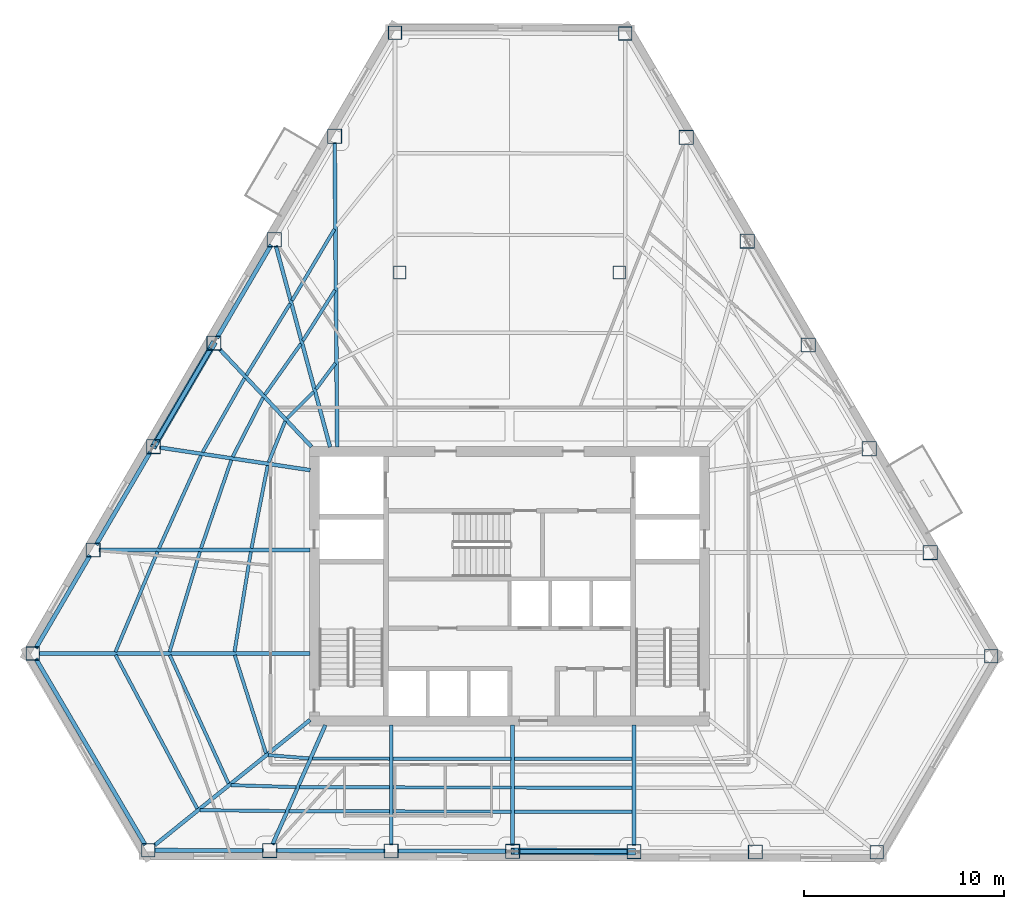
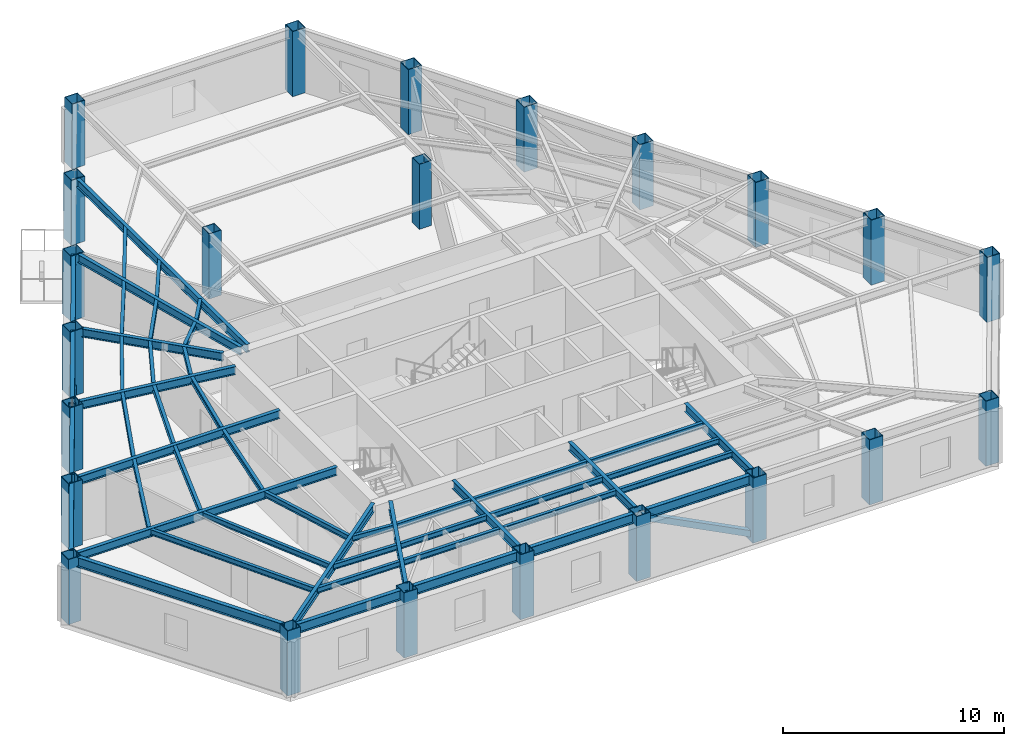
# One storey, part 1 of 11: 50 beams, 23 columns, 2 members.
"""IFC4 building model written with IfcOpenShell, lengths in metres."""

from ifc_helpers import new_model, si_unit, direction, frame, origin, origin_2d, place, context, subcontext, project, spatial, hollow_rectangle, i_section, extrude, material, material_profile, profile_set, type_object, element, save


model = new_model("IFC4")

# Units and contexts
model_context = context("Model", 3, precision=1e-05, world=origin(), true_north=direction((0.0, 1.0)))
body_context = subcontext(model_context, "Body", "Model", "MODEL_VIEW")
ifc_project = project(units=[si_unit("LENGTHUNIT", "METRE"), si_unit("AREAUNIT", "SQUARE_METRE"), si_unit("VOLUMEUNIT", "CUBIC_METRE"), si_unit("PLANEANGLEUNIT", "RADIAN"), si_unit("MASSUNIT", "GRAM", prefix="KILO")], contexts=[model_context])

# Site, building, storey
site_placement = place(None, origin())
site = spatial("IfcSite", under=ifc_project, at=site_placement, CompositionType="ELEMENT")
building_placement = place(site_placement, origin())
building = spatial("IfcBuilding", under=site, at=building_placement, Name="Kavelnor Concourse Tower", CompositionType="ELEMENT")
storey_placement = place(building_placement, frame((0.0, 0.0, 127.85009765625)))
storey = spatial("IfcBuildingStorey", under=building, at=storey_placement, Name="L32", CompositionType="ELEMENT", Elevation=127.85009765625)

# Columns
ifc_material = material(Name="Steel Grade 350", Category="steel")
ifc_material_profile_1 = material_profile(ifc_material, hollow_rectangle(XDim=0.679931640625, YDim=0.679931640625, WallThickness=0.030029296875, at=origin_2d()), Name="SHS 680x680x30")
ifc_profile_set_1 = profile_set([ifc_material_profile_1], Name="Steel Grade 350")
column_type_1 = type_object("IfcColumnType", Name="COL-FOLD-Z2", PredefinedType="COLUMN", material=ifc_profile_set_1)
for number, where, z_axis, x_axis, name in (
    (1, (32.264892578125, 43.8056640625, 0.0), (0.0, 0.0, 1.0), (1.0, 0.0, 0.0), "L32 Perimeter Corner-Fold Column F0-B0"),
    (2, (14.123291015625, 12.722412109375, 0.0), (0.0, 0.0, 1.0), (1.0, 0.0, 0.0), "L32 Perimeter Corner-Fold Column F0-B6"),
    (3, (19.913818359375, 2.86767578125, 0.0), (0.0, 0.0, 1.0), (1.0, 0.0, 0.0), "L32 Perimeter Corner-Fold Column F1-B0"),
    (4, (56.395751953125, 2.760986328125, 0.0), (0.0, 0.0, 1.0), (1.0, 0.0, 0.0), "L32 Perimeter Corner-Fold Column F1-B6"),
    (5, (62.125, 12.577392578125, 0.0), (0.0, 0.0, 1.0), (1.0, 0.0, 0.0), "L32 Perimeter Corner-Fold Column F2-B0"),
    (6, (43.796142578125, 43.77197265625, 0.0), (0.0, 0.0, 1.0), (1.0, 0.0, 0.0), "L32 Perimeter Corner-Fold Column F2-B6"),
):
    element("IfcColumn", number, at=place(storey_placement, frame(where, z_axis=z_axis, x_axis=x_axis)), inside=storey, type_object=column_type_1, Name=name, PredefinedType="COLUMN", context=body_context, shape_type="SweptSolid", body=[
        extrude(hollow_rectangle(XDim=0.679931640625, YDim=0.679931640625, WallThickness=0.030029296875, at=origin_2d()), origin(), (0.0, 0.0, 1.0), 3.599853515625),
    ])
ifc_material_profile_2 = material_profile(ifc_material, hollow_rectangle(XDim=0.719970703125, YDim=0.719970703125, WallThickness=0.031982421875, at=origin_2d()), Name="SHS 720x720x32")
ifc_profile_set_2 = profile_set([ifc_material_profile_2], Name="Steel Grade 350")
column_type_2 = type_object("IfcColumnType", Name="COL-TUBE-Z2", PredefinedType="COLUMN", material=ifc_profile_set_2)
for number, where, z_axis, x_axis, name in (
    (7, (29.2412109375, 38.625, 0.0), (0.0, 0.0, 1.0), (1.0, 0.0, 0.0), "L32 Perimeter Framed-Tube Column F0-B1"),
    (8, (26.2177734375, 33.444580078125, 0.0), (0.0, 0.0, 1.0), (1.0, 0.0, 0.0), "L32 Perimeter Framed-Tube Column F0-B2"),
    (9, (23.194091796875, 28.263916015625, 0.0), (0.0, 0.0, 1.0), (1.0, 0.0, 0.0), "L32 Perimeter Framed-Tube Column F0-B3"),
    (10, (20.17041015625, 23.08349609375, 0.0), (0.0, 0.0, 1.0), (1.0, 0.0, 0.0), "L32 Perimeter Framed-Tube Column F0-B4"),
    (11, (17.14697265625, 17.90283203125, 0.0), (0.0, 0.0, 1.0), (1.0, 0.0, 0.0), "L32 Perimeter Framed-Tube Column F0-B5"),
    (12, (25.993896484375, 2.849853515625, 0.0), (0.0, 0.0, 1.0), (1.0, 0.0, 0.0), "L32 Perimeter Framed-Tube Column F1-B1"),
    (13, (32.074462890625, 2.83203125, 0.0), (0.0, 0.0, 1.0), (1.0, 0.0, 0.0), "L32 Perimeter Framed-Tube Column F1-B2"),
    (14, (38.15478515625, 2.814208984375, 0.0), (0.0, 0.0, 1.0), (1.0, 0.0, 0.0), "L32 Perimeter Framed-Tube Column F1-B3"),
    (15, (44.235107421875, 2.79638671875, 0.0), (0.0, 0.0, 1.0), (1.0, 0.0, 0.0), "L32 Perimeter Framed-Tube Column F1-B4"),
    (16, (50.3154296875, 2.77880859375, 0.0), (0.0, 0.0, 1.0), (1.0, 0.0, 0.0), "L32 Perimeter Framed-Tube Column F1-B5"),
    (17, (59.0703125, 17.7763671875, 0.0), (0.0, 0.0, 1.0), (1.0, 0.0, 0.0), "L32 Perimeter Framed-Tube Column F2-B1"),
    (18, (56.015380859375, 22.9755859375, 0.0), (0.0, 0.0, 1.0), (1.0, 0.0, 0.0), "L32 Perimeter Framed-Tube Column F2-B2"),
    (19, (52.960693359375, 28.174560546875, 0.0), (0.0, 0.0, 1.0), (1.0, 0.0, 0.0), "L32 Perimeter Framed-Tube Column F2-B3"),
    (20, (49.90576171875, 33.373779296875, 0.0), (0.0, 0.0, 1.0), (1.0, 0.0, 0.0), "L32 Perimeter Framed-Tube Column F2-B4"),
    (21, (46.85107421875, 38.57275390625, 0.0), (0.0, 0.0, 1.0), (1.0, 0.0, 0.0), "L32 Perimeter Framed-Tube Column F2-B5"),
):
    element("IfcColumn", number, at=place(storey_placement, frame(where, z_axis=z_axis, x_axis=x_axis)), inside=storey, type_object=column_type_2, Name=name, PredefinedType="COLUMN", context=body_context, shape_type="SweptSolid", body=[
        extrude(hollow_rectangle(XDim=0.719970703125, YDim=0.719970703125, WallThickness=0.031982421875, at=origin_2d()), origin(), (0.0, 0.0, 1.0), 3.599853515625),
    ])
ifc_material_profile_3 = material_profile(ifc_material, hollow_rectangle(XDim=0.639892578125, YDim=0.639892578125, WallThickness=0.028076171875, at=origin_2d()), Name="SHS 640x640x28")
ifc_profile_set_3 = profile_set([ifc_material_profile_3], Name="Steel Grade 350")
column_type_3 = type_object("IfcColumnType", Name="COL-TUBE-Z3", PredefinedType="COLUMN", material=ifc_profile_set_3)
for number, where, z_axis, x_axis, name in (
    (22, (32.5, 31.800048828125, 0.0), (0.0, 0.0, 1.0), (1.0, 0.0, 0.0), "L32 North Interior Gravity Column BC-NW"),
    (23, (43.5, 31.800048828125, 0.0), (0.0, 0.0, 1.0), (1.0, 0.0, 0.0), "L32 North Interior Gravity Column BC-NE"),
):
    element("IfcColumn", number, at=place(storey_placement, frame(where, z_axis=z_axis, x_axis=x_axis)), inside=storey, type_object=column_type_3, Name=name, PredefinedType="COLUMN", context=body_context, shape_type="SweptSolid", body=[
        extrude(hollow_rectangle(XDim=0.639892578125, YDim=0.639892578125, WallThickness=0.028076171875, at=origin_2d()), origin(), (0.0, 0.0, 1.0), 3.599853515625),
    ])

# Beams
ifc_material_profile_4 = material_profile(ifc_material, i_section(OverallWidth=0.166015625, OverallDepth=0.306884765625, WebThickness=0.006591796875, FlangeThickness=0.01171875, at=origin_2d()), Name="310UB46")
ifc_profile_set_4 = profile_set([ifc_material_profile_4], Name="Steel Grade 350")
beam_type_1 = type_object("IfcBeamType", Name="BM-JOIST-310", PredefinedType="JOIST", material=ifc_profile_set_4)
beam_1_placement = place(storey_placement, frame((24.239990234375, 12.637451171875, 3.4462890625), z_axis=(0.303117680304, -0.952953132052, 0.0), x_axis=(0.952953132052, 0.303117680304, 0.0)))
element("IfcBeam", 24, at=beam_1_placement, inside=storey, type_object=beam_type_1, Name="L32 Secondary Composite Joist 01-1", PredefinedType="JOIST", context=body_context, shape_type="SweptSolid", body=[
    extrude(i_section(OverallWidth=0.166015625, OverallDepth=0.306884765625, WebThickness=0.006591796875, FlangeThickness=0.01171875, at=origin_2d()), origin(), (0.0, 0.0, 1.0), 5.1572265625),
])
beam_2_placement = place(storey_placement, frame((20.98681640625, 12.641357421875, 3.4462890625), z_axis=(0.415535280939, -0.909577061219, 0.0), x_axis=(0.909577061219, 0.415535280939, 0.0)))
element("IfcBeam", 25, at=beam_2_placement, inside=storey, type_object=beam_type_1, Name="L32 Secondary Composite Joist 01-2", PredefinedType="JOIST", context=body_context, shape_type="SweptSolid", body=[
    extrude(i_section(OverallWidth=0.166015625, OverallDepth=0.306884765625, WebThickness=0.006591796875, FlangeThickness=0.01171875, at=origin_2d()), origin(), (0.0, 0.0, 1.0), 7.068603515625),
])
beam_3_placement = place(storey_placement, frame((18.272216796875, 12.643798828125, 3.4462890625), z_axis=(0.469508375131, -0.882928018403, 0.0), x_axis=(0.882928018403, 0.469508375131, 0.0)))
element("IfcBeam", 26, at=beam_3_placement, inside=storey, type_object=beam_type_1, Name="L32 Secondary Composite Joist 01-3", PredefinedType="JOIST", context=body_context, shape_type="SweptSolid", body=[
    extrude(i_section(OverallWidth=0.166015625, OverallDepth=0.306884765625, WebThickness=0.006591796875, FlangeThickness=0.01171875, at=origin_2d()), origin(), (0.0, 0.0, 1.0), 8.7099609375),
])
beam_4_placement = place(storey_placement, frame((25.9189453125, 7.630859375, 3.4462890625), z_axis=(0.99680878661, -0.079826329853, 0.0), x_axis=(0.079826329853, 0.99680878661, 0.0)))
element("IfcBeam", 27, at=beam_4_placement, inside=storey, type_object=beam_type_1, Name="L32 Secondary Composite Joist 02-1", PredefinedType="JOIST", context=body_context, shape_type="SweptSolid", body=[
    extrude(i_section(OverallWidth=0.166015625, OverallDepth=0.306884765625, WebThickness=0.006591796875, FlangeThickness=0.01171875, at=origin_2d()), origin(), (0.0, 0.0, 1.0), 2.033935546875),
])
beam_5_placement = place(storey_placement, frame((24.050048828125, 6.128173828125, 3.4462890625), z_axis=(0.999529084403, -0.030685655156, 0.0), x_axis=(0.030685655156, 0.999529084403, 0.0)))
element("IfcBeam", 28, at=beam_5_placement, inside=storey, type_object=beam_type_1, Name="L32 Secondary Composite Joist 02-2", PredefinedType="JOIST", context=body_context, shape_type="SweptSolid", body=[
    extrude(i_section(OverallWidth=0.166015625, OverallDepth=0.306884765625, WebThickness=0.006591796875, FlangeThickness=0.01171875, at=origin_2d()), origin(), (0.0, 0.0, 1.0), 3.261962890625),
])
beam_6_placement = place(storey_placement, frame((22.492431640625, 4.8740234375, 3.4462890625), z_axis=(0.999946323832, -0.010360958209, 0.0), x_axis=(0.010360958209, 0.999946323832, 0.0)))
element("IfcBeam", 29, at=beam_6_placement, inside=storey, type_object=beam_type_1, Name="L32 Secondary Composite Joist 02-3", PredefinedType="JOIST", context=body_context, shape_type="SweptSolid", body=[
    extrude(i_section(OverallWidth=0.166015625, OverallDepth=0.306884765625, WebThickness=0.006591796875, FlangeThickness=0.01171875, at=origin_2d()), origin(), (0.0, 0.0, 1.0), 4.28857421875),
])
beam_7_placement = place(storey_placement, frame((28.1240234375, 7.461181640625, 3.4462890625), z_axis=(0.999999662197, -0.000821952176, 0.0), x_axis=(0.000821952176, 0.999999662197, 0.0)))
element("IfcBeam", 30, at=beam_7_placement, inside=storey, type_object=beam_type_1, Name="L32 Secondary Composite Joist 03-1", PredefinedType="JOIST", context=body_context, shape_type="SweptSolid", body=[
    extrude(i_section(OverallWidth=0.166015625, OverallDepth=0.306884765625, WebThickness=0.006591796875, FlangeThickness=0.01171875, at=origin_2d()), origin(), (0.0, 0.0, 1.0), 3.861328125),
])
beam_8_placement = place(storey_placement, frame((27.48828125, 6.025146484375, 3.4462890625), z_axis=(0.999997982596, -0.002008682158, 0.0), x_axis=(0.002008682158, 0.999997982596, 0.0)))
element("IfcBeam", 31, at=beam_8_placement, inside=storey, type_object=beam_type_1, Name="L32 Secondary Composite Joist 03-2", PredefinedType="JOIST", context=body_context, shape_type="SweptSolid", body=[
    extrude(i_section(OverallWidth=0.166015625, OverallDepth=0.306884765625, WebThickness=0.006591796875, FlangeThickness=0.01171875, at=origin_2d()), origin(), (0.0, 0.0, 1.0), 4.4970703125),
])
beam_9_placement = place(storey_placement, frame((26.958740234375, 4.828369140625, 3.4462890625), z_axis=(0.999996301095, -0.002719888915, 0.0), x_axis=(0.002719888915, 0.999996301095, 0.0)))
element("IfcBeam", 32, at=beam_9_placement, inside=storey, type_object=beam_type_1, Name="L32 Secondary Composite Joist 03-3", PredefinedType="JOIST", context=body_context, shape_type="SweptSolid", body=[
    extrude(i_section(OverallWidth=0.166015625, OverallDepth=0.306884765625, WebThickness=0.006591796875, FlangeThickness=0.01171875, at=origin_2d()), origin(), (0.0, 0.0, 1.0), 5.026611328125),
])
for number, where, z_axis, x_axis, name in (
    (33, (32.163330078125, 7.457763671875, 3.4462890625), (0.999999657815, -0.000827266428, 0.0), (0.000827266428, 0.999999657815, 0.0), "L32 Secondary Composite Joist 04-1"),
    (34, (32.163330078125, 6.015869140625, 3.4462890625), (0.999998828874, -0.001530441623, 0.0), (0.001530441623, 0.999998828874, 0.0), "L32 Secondary Composite Joist 04-2"),
    (35, (32.163330078125, 4.814208984375, 3.4462890625), (0.999997774949, -0.002109525419, 0.0), (0.002109525419, 0.999997774949, 0.0), "L32 Secondary Composite Joist 04-3"),
    (36, (38.24365234375, 7.45263671875, 3.4462890625), (0.999999691178, -0.000785903133, 0.0), (0.000785903133, 0.999999691178, 0.0), "L32 Secondary Composite Joist 05-1"),
    (37, (38.24365234375, 6.006591796875, 3.4462890625), (0.999998828874, -0.001530441623, 0.0), (0.001530441623, 0.999998828874, 0.0), "L32 Secondary Composite Joist 05-2"),
    (38, (38.24365234375, 4.80126953125, 3.4462890625), (0.999997774949, -0.002109525419, 0.0), (0.002109525419, 0.999997774949, 0.0), "L32 Secondary Composite Joist 05-3"),
):
    element("IfcBeam", number, at=place(storey_placement, frame(where, z_axis=z_axis, x_axis=x_axis)), inside=storey, type_object=beam_type_1, Name=name, PredefinedType="JOIST", context=body_context, shape_type="SweptSolid", body=[
        extrude(i_section(OverallWidth=0.166015625, OverallDepth=0.306884765625, WebThickness=0.006591796875, FlangeThickness=0.01171875, at=origin_2d()), origin(), (0.0, 0.0, 1.0), 5.90234375),
    ])
beam_10_placement = place(storey_placement, frame((29.28076171875, 27.262939453125, 3.4462890625), z_axis=(-0.597577597857, -0.801811084071, 0.0), x_axis=(0.801811084071, -0.597577597857, 0.0)))
element("IfcBeam", 39, at=beam_10_placement, inside=storey, type_object=beam_type_1, Name="L32 Secondary Composite Joist 17-1", PredefinedType="JOIST", context=body_context, shape_type="SweptSolid", body=[
    extrude(i_section(OverallWidth=0.166015625, OverallDepth=0.306884765625, WebThickness=0.006591796875, FlangeThickness=0.01171875, at=origin_2d()), origin(), (0.0, 0.0, 1.0), 1.630615234375),
])
beam_11_placement = place(storey_placement, frame((29.25634765625, 30.922607421875, 3.4462890625), z_axis=(-0.534121216375, -0.845407905226, 0.0), x_axis=(0.845407905226, -0.534121216375, 0.0)))
element("IfcBeam", 40, at=beam_11_placement, inside=storey, type_object=beam_type_1, Name="L32 Secondary Composite Joist 17-2", PredefinedType="JOIST", context=body_context, shape_type="SweptSolid", body=[
    extrude(i_section(OverallWidth=0.166015625, OverallDepth=0.306884765625, WebThickness=0.006591796875, FlangeThickness=0.01171875, at=origin_2d()), origin(), (0.0, 0.0, 1.0), 3.008544921875),
])
beam_12_placement = place(storey_placement, frame((29.2333984375, 33.974365234375, 3.4462890625), z_axis=(-0.51137044698, -0.859360381886, 0.0), x_axis=(0.859360381886, -0.51137044698, 0.0)))
element("IfcBeam", 41, at=beam_12_placement, inside=storey, type_object=beam_type_1, Name="L32 Secondary Composite Joist 17-3", PredefinedType="JOIST", context=body_context, shape_type="SweptSolid", body=[
    extrude(i_section(OverallWidth=0.166015625, OverallDepth=0.306884765625, WebThickness=0.006591796875, FlangeThickness=0.01171875, at=origin_2d()), origin(), (0.0, 0.0, 1.0), 4.1630859375),
])
beam_13_placement = place(storey_placement, frame((28.190185546875, 25.821533203125, 3.4462890625), z_axis=(-0.70886469237, -0.705344488822, 0.0), x_axis=(0.705344488822, -0.70886469237, 0.0)))
element("IfcBeam", 42, at=beam_13_placement, inside=storey, type_object=beam_type_1, Name="L32 Secondary Composite Joist 18-1", PredefinedType="JOIST", context=body_context, shape_type="SweptSolid", body=[
    extrude(i_section(OverallWidth=0.166015625, OverallDepth=0.306884765625, WebThickness=0.006591796875, FlangeThickness=0.01171875, at=origin_2d()), origin(), (0.0, 0.0, 1.0), 1.87255859375),
])
beam_14_placement = place(storey_placement, frame((27.55029296875, 28.231201171875, 3.4462890625), z_axis=(-0.577548617576, -0.816356291294, 0.0), x_axis=(0.816356291294, -0.577548617576, 0.0)))
element("IfcBeam", 43, at=beam_14_placement, inside=storey, type_object=beam_type_1, Name="L32 Secondary Composite Joist 18-2", PredefinedType="JOIST", context=body_context, shape_type="SweptSolid", body=[
    extrude(i_section(OverallWidth=0.166015625, OverallDepth=0.306884765625, WebThickness=0.006591796875, FlangeThickness=0.01171875, at=origin_2d()), origin(), (0.0, 0.0, 1.0), 3.122314453125),
])
beam_15_placement = place(storey_placement, frame((27.012451171875, 30.244384765625, 3.4462890625), z_axis=(-0.521711037534, -0.853122261645, 0.0), x_axis=(0.853122261645, -0.521711037534, 0.0)))
element("IfcBeam", 44, at=beam_15_placement, inside=storey, type_object=beam_type_1, Name="L32 Secondary Composite Joist 18-3", PredefinedType="JOIST", context=body_context, shape_type="SweptSolid", body=[
    extrude(i_section(OverallWidth=0.166015625, OverallDepth=0.306884765625, WebThickness=0.006591796875, FlangeThickness=0.01171875, at=origin_2d()), origin(), (0.0, 0.0, 1.0), 4.198974609375),
])
beam_16_placement = place(storey_placement, frame((26.7666015625, 24.35546875, 3.4462890625), z_axis=(-0.374110758279, -0.927384030777, 0.0), x_axis=(0.927384030777, -0.374110758279, 0.0)))
element("IfcBeam", 45, at=beam_16_placement, inside=storey, type_object=beam_type_1, Name="L32 Secondary Composite Joist 19-1", PredefinedType="JOIST", context=body_context, shape_type="SweptSolid", body=[
    extrude(i_section(OverallWidth=0.166015625, OverallDepth=0.306884765625, WebThickness=0.006591796875, FlangeThickness=0.01171875, at=origin_2d()), origin(), (0.0, 0.0, 1.0), 2.211669921875),
])
beam_17_placement = place(storey_placement, frame((25.65478515625, 25.530517578125, 3.4462890625), z_axis=(-0.457084195045, -0.889423430454, 0.0), x_axis=(0.889423430454, -0.457084195045, 0.0)))
element("IfcBeam", 46, at=beam_17_placement, inside=storey, type_object=beam_type_1, Name="L32 Secondary Composite Joist 19-2", PredefinedType="JOIST", context=body_context, shape_type="SweptSolid", body=[
    extrude(i_section(OverallWidth=0.166015625, OverallDepth=0.306884765625, WebThickness=0.006591796875, FlangeThickness=0.01171875, at=origin_2d()), origin(), (0.0, 0.0, 1.0), 3.324951171875),
])
beam_18_placement = place(storey_placement, frame((24.7314453125, 26.5087890625, 3.4462890625), z_axis=(-0.493066007959, -0.869991903293, 0.0), x_axis=(0.869991903293, -0.493066007959, 0.0)))
element("IfcBeam", 47, at=beam_18_placement, inside=storey, type_object=beam_type_1, Name="L32 Secondary Composite Joist 19-3", PredefinedType="JOIST", context=body_context, shape_type="SweptSolid", body=[
    extrude(i_section(OverallWidth=0.166015625, OverallDepth=0.306884765625, WebThickness=0.006591796875, FlangeThickness=0.01171875, at=origin_2d()), origin(), (0.0, 0.0, 1.0), 4.26513671875),
])
beam_19_placement = place(storey_placement, frame((25.888916015625, 22.134521484375, 3.4462890625), z_axis=(-0.192334775657, -0.98132937084, 0.0), x_axis=(0.98132937084, -0.192334775657, 0.0)))
element("IfcBeam", 48, at=beam_19_placement, inside=storey, type_object=beam_type_1, Name="L32 Secondary Composite Joist 20-1", PredefinedType="JOIST", context=body_context, shape_type="SweptSolid", body=[
    extrude(i_section(OverallWidth=0.166015625, OverallDepth=0.306884765625, WebThickness=0.006591796875, FlangeThickness=0.01171875, at=origin_2d()), origin(), (0.0, 0.0, 1.0), 4.22314453125),
])
beam_20_placement = place(storey_placement, frame((24.0654296875, 22.409912109375, 3.4462890625), z_axis=(-0.323987852615, -0.946061240807, 0.0), x_axis=(0.946061240807, -0.323987852615, 0.0)))
element("IfcBeam", 49, at=beam_20_placement, inside=storey, type_object=beam_type_1, Name="L32 Secondary Composite Joist 20-2", PredefinedType="JOIST", context=body_context, shape_type="SweptSolid", body=[
    extrude(i_section(OverallWidth=0.166015625, OverallDepth=0.306884765625, WebThickness=0.006591796875, FlangeThickness=0.01171875, at=origin_2d()), origin(), (0.0, 0.0, 1.0), 4.675048828125),
])
beam_21_placement = place(storey_placement, frame((22.5478515625, 22.6396484375, 3.4462890625), z_axis=(-0.411774926588, -0.911285580833, 0.0), x_axis=(0.911285580833, -0.411774926588, 0.0)))
element("IfcBeam", 50, at=beam_21_placement, inside=storey, type_object=beam_type_1, Name="L32 Secondary Composite Joist 20-3", PredefinedType="JOIST", context=body_context, shape_type="SweptSolid", body=[
    extrude(i_section(OverallWidth=0.166015625, OverallDepth=0.306884765625, WebThickness=0.006591796875, FlangeThickness=0.01171875, at=origin_2d()), origin(), (0.0, 0.0, 1.0), 5.10888671875),
])
beam_22_placement = place(storey_placement, frame((25.045166015625, 17.815185546875, 3.4462890625), z_axis=(-0.161267781996, -0.986910686177, 0.0), x_axis=(0.986910686177, -0.161267781996, 0.0)))
element("IfcBeam", 51, at=beam_22_placement, inside=storey, type_object=beam_type_1, Name="L32 Secondary Composite Joist 21-1", PredefinedType="JOIST", context=body_context, shape_type="SweptSolid", body=[
    extrude(i_section(OverallWidth=0.166015625, OverallDepth=0.306884765625, WebThickness=0.006591796875, FlangeThickness=0.01171875, at=origin_2d()), origin(), (0.0, 0.0, 1.0), 5.071533203125),
])
beam_23_placement = place(storey_placement, frame((22.49609375, 17.817626953125, 3.4462890625), z_axis=(-0.290413747242, -0.956901173274, 0.0), x_axis=(0.956901173274, -0.290413747242, 0.0)))
element("IfcBeam", 52, at=beam_23_placement, inside=storey, type_object=beam_type_1, Name="L32 Secondary Composite Joist 21-2", PredefinedType="JOIST", context=body_context, shape_type="SweptSolid", body=[
    extrude(i_section(OverallWidth=0.166015625, OverallDepth=0.306884765625, WebThickness=0.006591796875, FlangeThickness=0.01171875, at=origin_2d()), origin(), (0.0, 0.0, 1.0), 5.235595703125),
])
beam_24_placement = place(storey_placement, frame((20.372802734375, 17.82080078125, 3.4462890625), z_axis=(-0.387378933107, -0.921920583448, 0.0), x_axis=(0.921920583448, -0.387378933107, 0.0)))
element("IfcBeam", 53, at=beam_24_placement, inside=storey, type_object=beam_type_1, Name="L32 Secondary Composite Joist 21-3", PredefinedType="JOIST", context=body_context, shape_type="SweptSolid", body=[
    extrude(i_section(OverallWidth=0.166015625, OverallDepth=0.306884765625, WebThickness=0.006591796875, FlangeThickness=0.01171875, at=origin_2d()), origin(), (0.0, 0.0, 1.0), 5.44140625),
])
ifc_material_profile_5 = material_profile(ifc_material, i_section(OverallWidth=0.18994140625, OverallDepth=0.4541015625, WebThickness=0.008544921875, FlangeThickness=0.0126953125, at=origin_2d()), Name="460UB67")
ifc_profile_set_5 = profile_set([ifc_material_profile_5], Name="Steel Grade 350")
beam_type_2 = type_object("IfcBeamType", Name="BM-PRIMARY-460", PredefinedType="BEAM", material=ifc_profile_set_5)
beam_25_placement = place(storey_placement, frame((29.368896484375, 23.06005859375, 3.372802734375), z_axis=(-0.008188319024, 0.999966475154, 0.0), x_axis=(-0.999966475154, -0.008188319024, 0.0)))
element("IfcBeam", 54, at=beam_25_placement, inside=storey, type_object=beam_type_2, Name="L32 Primary Floor Girder F0-B1", PredefinedType="BEAM", context=body_context, shape_type="SweptSolid", body=[
    extrude(i_section(OverallWidth=0.18994140625, OverallDepth=0.4541015625, WebThickness=0.008544921875, FlangeThickness=0.0126953125, at=origin_2d()), origin(), (0.0, 0.0, 1.0), 15.265625),
])
beam_26_placement = place(storey_placement, frame((29.013427734375, 23.061279296875, 3.372802734375), z_axis=(-0.259997791893, 0.965609210919, 0.0), x_axis=(-0.965609210919, -0.259997791893, 0.0)))
element("IfcBeam", 55, at=beam_26_placement, inside=storey, type_object=beam_type_2, Name="L32 Primary Floor Girder F0-B2", PredefinedType="BEAM", context=body_context, shape_type="SweptSolid", body=[
    extrude(i_section(OverallWidth=0.18994140625, OverallDepth=0.4541015625, WebThickness=0.008544921875, FlangeThickness=0.0126953125, at=origin_2d()), origin(), (0.0, 0.0, 1.0), 10.44091796875),
])
beam_27_placement = place(storey_placement, frame((28.088134765625, 23.07080078125, 3.372802734375), z_axis=(-0.685834507636, 0.727757533891, 0.0), x_axis=(-0.727757533891, -0.685834507636, 0.0)))
element("IfcBeam", 56, at=beam_27_placement, inside=storey, type_object=beam_type_2, Name="L32 Primary Floor Girder F0-B3", PredefinedType="BEAM", context=body_context, shape_type="SweptSolid", body=[
    extrude(i_section(OverallWidth=0.18994140625, OverallDepth=0.4541015625, WebThickness=0.008544921875, FlangeThickness=0.0126953125, at=origin_2d()), origin(), (0.0, 0.0, 1.0), 6.708740234375),
])
beam_28_placement = place(storey_placement, frame((28.01953125, 21.904296875, 3.372802734375), z_axis=(-0.988902779926, 0.148564100157, 0.0), x_axis=(-0.148564100157, -0.988902779926, 0.0)))
element("IfcBeam", 57, at=beam_28_placement, inside=storey, type_object=beam_type_2, Name="L32 Primary Floor Girder F0-B4", PredefinedType="BEAM", context=body_context, shape_type="SweptSolid", body=[
    extrude(i_section(OverallWidth=0.18994140625, OverallDepth=0.4541015625, WebThickness=0.008544921875, FlangeThickness=0.0126953125, at=origin_2d()), origin(), (0.0, 0.0, 1.0), 7.63330078125),
])
beam_29_placement = place(storey_placement, frame((28.02001953125, 17.90283203125, 3.372802734375), z_axis=(-1.0, 0.0, 0.0), x_axis=(0.0, -1.0, 0.0)))
element("IfcBeam", 58, at=beam_29_placement, inside=storey, type_object=beam_type_2, Name="L32 Primary Floor Girder F0-B5", PredefinedType="BEAM", context=body_context, shape_type="SweptSolid", body=[
    extrude(i_section(OverallWidth=0.18994140625, OverallDepth=0.4541015625, WebThickness=0.008544921875, FlangeThickness=0.0126953125, at=origin_2d()), origin(), (0.0, 0.0, 1.0), 10.572998046875),
])
beam_30_placement = place(storey_placement, frame((28.02001953125, 12.722412109375, 3.372802734375), z_axis=(-1.0, 0.0, 0.0), x_axis=(0.0, -1.0, 0.0)))
element("IfcBeam", 59, at=beam_30_placement, inside=storey, type_object=beam_type_2, Name="L32 Primary Floor Girder F0-B6", PredefinedType="BEAM", context=body_context, shape_type="SweptSolid", body=[
    extrude(i_section(OverallWidth=0.18994140625, OverallDepth=0.4541015625, WebThickness=0.008544921875, FlangeThickness=0.0126953125, at=origin_2d()), origin(), (0.0, 0.0, 1.0), 13.5966796875),
])
beam_31_placement = place(storey_placement, frame((28.010986328125, 9.396240234375, 3.372802734375), z_axis=(-0.778479966344, -0.627669452818, 0.0), x_axis=(0.627669452818, -0.778479966344, 0.0)))
element("IfcBeam", 60, at=beam_31_placement, inside=storey, type_object=beam_type_2, Name="L32 Primary Floor Girder F1-B0", PredefinedType="BEAM", context=body_context, shape_type="SweptSolid", body=[
    extrude(i_section(OverallWidth=0.18994140625, OverallDepth=0.4541015625, WebThickness=0.008544921875, FlangeThickness=0.0126953125, at=origin_2d()), origin(), (0.0, 0.0, 1.0), 10.004638671875),
])
beam_32_placement = place(storey_placement, frame((28.776611328125, 9.13671875, 3.372802734375), z_axis=(-0.404722050056, -0.914439753182, 0.0), x_axis=(0.914439753182, -0.404722050056, 0.0)))
element("IfcBeam", 61, at=beam_32_placement, inside=storey, type_object=beam_type_2, Name="L32 Primary Floor Girder F1-B1", PredefinedType="BEAM", context=body_context, shape_type="SweptSolid", body=[
    extrude(i_section(OverallWidth=0.18994140625, OverallDepth=0.4541015625, WebThickness=0.008544921875, FlangeThickness=0.0126953125, at=origin_2d()), origin(), (0.0, 0.0, 1.0), 6.543212890625),
])
beam_33_placement = place(storey_placement, frame((32.074462890625, 9.139892578125, 3.372802734375), z_axis=(0.0, -1.0, 0.0), x_axis=(1.0, 0.0, 0.0)))
element("IfcBeam", 62, at=beam_33_placement, inside=storey, type_object=beam_type_2, Name="L32 Primary Floor Girder F1-B2", PredefinedType="BEAM", context=body_context, shape_type="SweptSolid", body=[
    extrude(i_section(OverallWidth=0.18994140625, OverallDepth=0.4541015625, WebThickness=0.008544921875, FlangeThickness=0.0126953125, at=origin_2d()), origin(), (0.0, 0.0, 1.0), 6.0078125),
])
beam_34_placement = place(storey_placement, frame((38.15478515625, 9.139892578125, 3.372802734375), z_axis=(0.0, -1.0, 0.0), x_axis=(1.0, 0.0, 0.0)))
element("IfcBeam", 63, at=beam_34_placement, inside=storey, type_object=beam_type_2, Name="L32 Primary Floor Girder F1-B3", PredefinedType="BEAM", context=body_context, shape_type="SweptSolid", body=[
    extrude(i_section(OverallWidth=0.18994140625, OverallDepth=0.4541015625, WebThickness=0.008544921875, FlangeThickness=0.0126953125, at=origin_2d()), origin(), (0.0, 0.0, 1.0), 6.025634765625),
])
beam_35_placement = place(storey_placement, frame((44.235107421875, 9.139892578125, 3.372802734375), z_axis=(0.0, -1.0, 0.0), x_axis=(1.0, 0.0, 0.0)))
element("IfcBeam", 64, at=beam_35_placement, inside=storey, type_object=beam_type_2, Name="L32 Primary Floor Girder F1-B4", PredefinedType="BEAM", context=body_context, shape_type="SweptSolid", body=[
    extrude(i_section(OverallWidth=0.18994140625, OverallDepth=0.4541015625, WebThickness=0.008544921875, FlangeThickness=0.0126953125, at=origin_2d()), origin(), (0.0, 0.0, 1.0), 6.04345703125),
])
ifc_material_profile_6 = material_profile(ifc_material, i_section(OverallWidth=0.208984375, OverallDepth=0.532958984375, WebThickness=0.01025390625, FlangeThickness=0.015625, at=origin_2d()), Name="530UB92")
ifc_profile_set_6 = profile_set([ifc_material_profile_6], Name="Steel Grade 350")
beam_type_3 = type_object("IfcBeamType", Name="BM-SPANDREL-Z2", PredefinedType="SPANDREL", material=ifc_profile_set_6)
for number, where, z_axis, x_axis, name in (
    (65, (26.06396484375, 33.18115234375, 3.33349609375), (-0.504056942988, -0.863670422224, 0.0), (0.863670422224, -0.504056942988, 0.0), "L32 Perimeter Tube Spandrel Beam F0-B2"),
    (66, (23.040283203125, 28.00048828125, 3.33349609375), (-0.504056942988, -0.863670422224, 0.0), (0.863670422224, -0.504056942988, 0.0), "L32 Perimeter Tube Spandrel Beam F0-B3"),
    (67, (20.016845703125, 22.820068359375, 3.33349609375), (-0.504090738638, -0.863650697458, 0.0), (0.863650697458, -0.504090738638, 0.0), "L32 Perimeter Tube Spandrel Beam F0-B4"),
    (68, (16.9931640625, 17.639404296875, 3.33349609375), (-0.504056942988, -0.863670422224, 0.0), (0.863670422224, -0.504056942988, 0.0), "L32 Perimeter Tube Spandrel Beam F0-B5"),
):
    element("IfcBeam", number, at=place(storey_placement, frame(where, z_axis=z_axis, x_axis=x_axis)), inside=storey, type_object=beam_type_3, Name=name, PredefinedType="SPANDREL", context=body_context, shape_type="SweptSolid", body=[
        extrude(i_section(OverallWidth=0.208984375, OverallDepth=0.532958984375, WebThickness=0.01025390625, FlangeThickness=0.015625, at=origin_2d()), origin(), (0.0, 0.0, 1.0), 5.388427734375),
    ])
for number, where, z_axis, x_axis, name in (
    (69, (20.21875, 2.86669921875, 3.33349609375), (0.999995661632, -0.002945626782, 0.0), (0.002945626782, 0.999995661632, 0.0), "L32 Perimeter Tube Spandrel Beam F1-B0"),
    (70, (26.299072265625, 2.848876953125, 3.33349609375), (0.999995792101, -0.002900996451, 0.0), (0.002900996451, 0.999995792101, 0.0), "L32 Perimeter Tube Spandrel Beam F1-B1"),
    (71, (32.37939453125, 2.831298828125, 3.33349609375), (0.999995661632, -0.002945626782, 0.0), (0.002945626782, 0.999995661632, 0.0), "L32 Perimeter Tube Spandrel Beam F1-B2"),
):
    element("IfcBeam", number, at=place(storey_placement, frame(where, z_axis=z_axis, x_axis=x_axis)), inside=storey, type_object=beam_type_3, Name=name, PredefinedType="SPANDREL", context=body_context, shape_type="SweptSolid", body=[
        extrude(i_section(OverallWidth=0.208984375, OverallDepth=0.532958984375, WebThickness=0.01025390625, FlangeThickness=0.015625, at=origin_2d()), origin(), (0.0, 0.0, 1.0), 5.47021484375),
    ])
beam_36_placement = place(storey_placement, frame((38.459716796875, 2.8134765625, 3.33349609375), z_axis=(0.999995662019, -0.002945495323, 0.0), x_axis=(0.002945495323, 0.999995662019, 0.0)))
element("IfcBeam", 72, at=beam_36_placement, inside=storey, type_object=beam_type_3, Name="L32 Perimeter Tube Spandrel Beam F1-B3", PredefinedType="SPANDREL", context=body_context, shape_type="SweptSolid", body=[
    extrude(i_section(OverallWidth=0.208984375, OverallDepth=0.532958984375, WebThickness=0.01025390625, FlangeThickness=0.015625, at=origin_2d()), origin(), (0.0, 0.0, 1.0), 5.470458984375),
])
beam_37_placement = place(storey_placement, frame((14.27783203125, 12.459228515625, 3.33349609375), z_axis=(0.506609854413, -0.862175420324, 0.0), x_axis=(0.862175420324, 0.506609854413, 0.0)))
element("IfcBeam", 73, at=beam_37_placement, inside=storey, type_object=beam_type_3, Name="L32 Chamfer Facet Spandrel Beam C1", PredefinedType="SPANDREL", context=body_context, shape_type="SweptSolid", body=[
    extrude(i_section(OverallWidth=0.208984375, OverallDepth=0.532958984375, WebThickness=0.01025390625, FlangeThickness=0.015625, at=origin_2d()), origin(), (0.0, 0.0, 1.0), 10.81982421875),
])

# Members
ifc_material_profile_7 = material_profile(ifc_material, hollow_rectangle(XDim=0.320068359375, YDim=0.320068359375, WallThickness=0.01806640625, at=origin_2d()), Name="SHS 320x320x18")
ifc_profile_set_7 = profile_set([ifc_material_profile_7], Name="Steel Grade 350")
member_type = type_object("IfcMemberType", Name="MBR-TUBE-DIAG-Z2", PredefinedType="BRACE", material=ifc_profile_set_7)
member_1_placement = place(storey_placement, frame((23.194091796875, 28.263916015625, 0.219970703125), z_axis=(-0.447408462236, -0.76653695278, 0.460702472256), x_axis=(0.863650440891, -0.50409117821, 0.0)))
element("IfcMember", 74, at=member_1_placement, inside=storey, type_object=member_type, Name="L32 Framed-Tube Bracing Diagonal F0-B3", PredefinedType="BRACE", context=body_context, shape_type="SweptSolid", body=[
    extrude(hollow_rectangle(XDim=0.320068359375, YDim=0.320068359375, WallThickness=0.01806640625, at=origin_2d()), origin(), (0.0, 0.0, 1.0), 6.75830078125),
])
member_2_placement = place(storey_placement, frame((44.235107421875, 2.79638671875, 0.219970703125), z_axis=(-0.890087017814, 0.002608968171, 0.455783165556), x_axis=(-0.002931125734, -0.999995704242, 0.0)))
element("IfcMember", 75, at=member_2_placement, inside=storey, type_object=member_type, Name="L32 Framed-Tube Bracing Diagonal F1-B3", PredefinedType="BRACE", context=body_context, shape_type="SweptSolid", body=[
    extrude(hollow_rectangle(XDim=0.320068359375, YDim=0.320068359375, WallThickness=0.01806640625, at=origin_2d()), origin(), (0.0, 0.0, 1.0), 6.8310546875),
])

save(model, "model.ifc")
